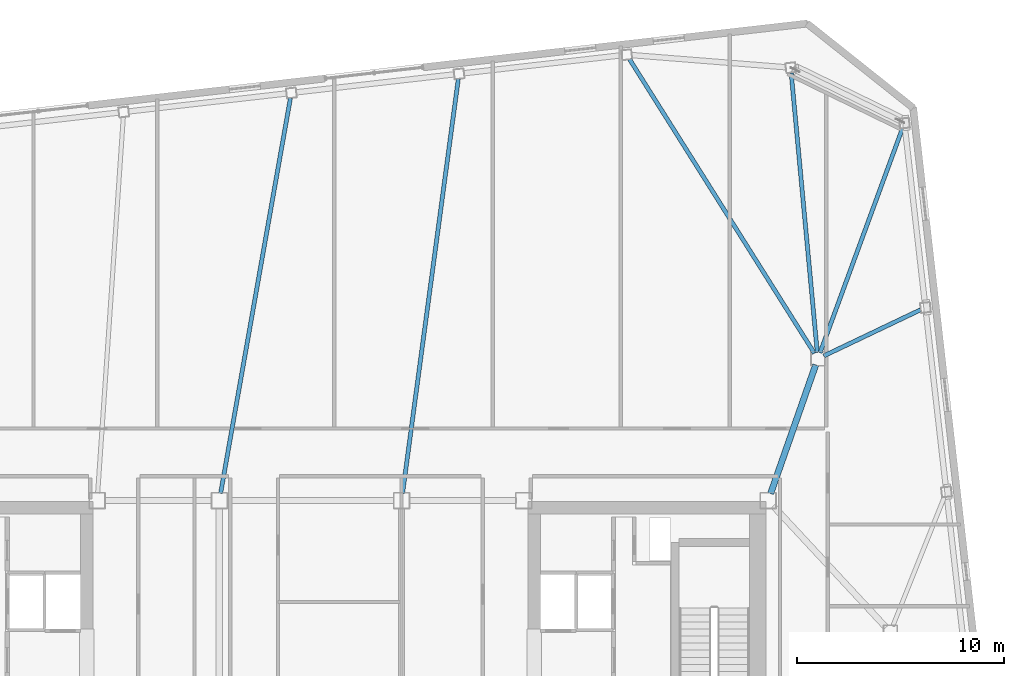
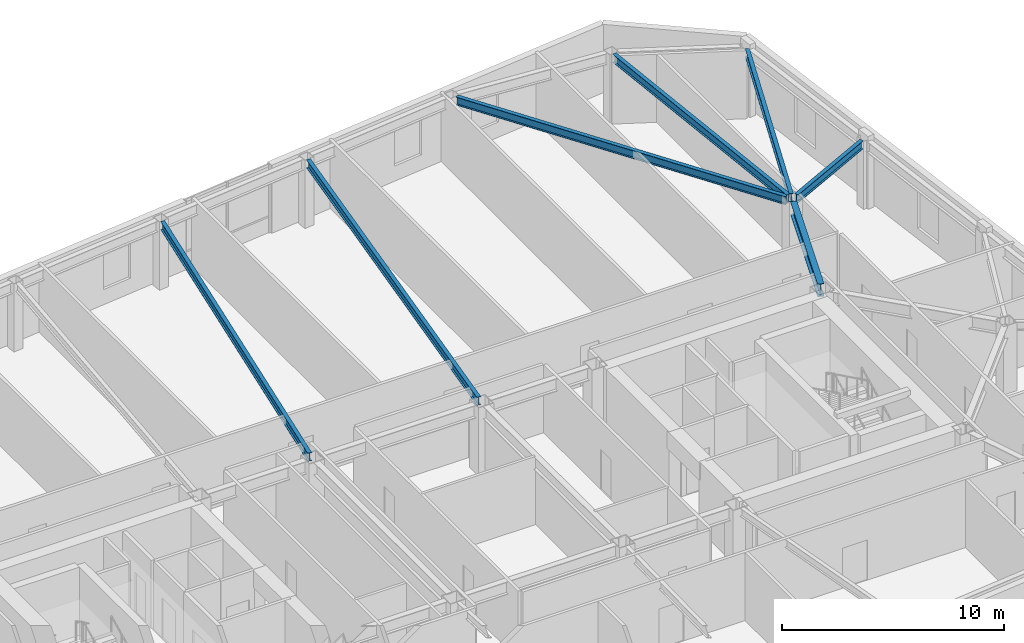
# One storey, part 9 of 19: 7 beams.
"""IFC4 building model written with IfcOpenShell, lengths in metres."""

from ifc_helpers import new_model, si_unit, direction, frame, origin, origin_2d, place, context, subcontext, project, spatial, i_section, extrude, material, material_profile, profile_set, type_object, element, save


model = new_model("IFC4")

# Units and contexts
model_context = context("Model", 3, precision=1e-05, world=origin(), true_north=direction((0.0, 1.0)))
body_context = subcontext(model_context, "Body", "Model", "MODEL_VIEW")
ifc_project = project(units=[si_unit("LENGTHUNIT", "METRE"), si_unit("AREAUNIT", "SQUARE_METRE"), si_unit("VOLUMEUNIT", "CUBIC_METRE"), si_unit("PLANEANGLEUNIT", "RADIAN"), si_unit("MASSUNIT", "GRAM", prefix="KILO")], contexts=[model_context])

# Site, building, storey
site_placement = place(None, origin())
site = spatial("IfcSite", under=ifc_project, at=site_placement, CompositionType="ELEMENT")
building_placement = place(site_placement, origin())
building = spatial("IfcBuilding", under=site, at=building_placement, Name="Tavrogorsk Clinical Tower", CompositionType="ELEMENT")
storey_placement = place(building_placement, frame((0.0, 0.0, 259.0)))
storey = spatial("IfcBuildingStorey", under=building, at=storey_placement, Name="L60", CompositionType="ELEMENT", Elevation=259.0)

# Beams
ifc_material_1 = material(Name="Structural steel S355", Category="steel")
ifc_material_profile_1 = material_profile(ifc_material_1, i_section(OverallWidth=0.199951171875, OverallDepth=0.449951171875, WebThickness=0.011474609375, FlangeThickness=0.01806640625, at=origin_2d()), Name="B-450x200x11.5x18")
ifc_profile_set_1 = profile_set([ifc_material_profile_1], Name="Structural steel S355")
beam_type_1 = type_object("IfcBeamType", Name="FloorBeam_B450", PredefinedType="BEAM", material=ifc_profile_set_1)
beam_1_placement = place(storey_placement, frame((24.47119140625, 13.508544921875, 3.514892578125), z_axis=(-0.092940409745, 0.99567167291, 0.0), x_axis=(-0.99567167291, -0.092940409745, 0.0)))
element("IfcBeam", 1, at=beam_1_placement, inside=storey, type_object=beam_type_1, Name="L60 Radial Floor Beam N1", PredefinedType="BEAM", context=body_context, shape_type="SweptSolid", body=[
    extrude(i_section(OverallWidth=0.199951171875, OverallDepth=0.449951171875, WebThickness=0.011474609375, FlangeThickness=0.01806640625, at=origin_2d()), origin(), (0.0, 0.0, 1.0), 13.546630859375),
])
beam_2_placement = place(storey_placement, frame((24.3349609375, 13.46240234375, 3.514892578125), z_axis=(-0.53234144439, 0.84652973166, 0.0), x_axis=(-0.84652973166, -0.53234144439, 0.0)))
element("IfcBeam", 2, at=beam_2_placement, inside=storey, type_object=beam_type_1, Name="L60 Radial Floor Beam N2", PredefinedType="BEAM", context=body_context, shape_type="SweptSolid", body=[
    extrude(i_section(OverallWidth=0.199951171875, OverallDepth=0.449951171875, WebThickness=0.011474609375, FlangeThickness=0.01806640625, at=origin_2d()), origin(), (0.0, 0.0, 1.0), 16.7734375),
])
beam_3_placement = place(storey_placement, frame((4.447998046875, 6.706787109375, 3.514892578125), z_axis=(0.133328812355, 0.991071858039, 0.0), x_axis=(-0.991071858039, 0.133328812355, 0.0)))
element("IfcBeam", 3, at=beam_3_placement, inside=storey, type_object=beam_type_1, Name="L60 Radial Floor Beam N3", PredefinedType="BEAM", context=body_context, shape_type="SweptSolid", body=[
    extrude(i_section(OverallWidth=0.199951171875, OverallDepth=0.449951171875, WebThickness=0.011474609375, FlangeThickness=0.01806640625, at=origin_2d()), origin(), (0.0, 0.0, 1.0), 20.17529296875),
])
beam_4_placement = place(storey_placement, frame((-4.33740234375, 6.70458984375, 3.514892578125), z_axis=(0.173894614236, 0.984764267802, 0.0), x_axis=(-0.984764267802, 0.173894614236, 0.0)))
element("IfcBeam", 4, at=beam_4_placement, inside=storey, type_object=beam_type_1, Name="L60 Radial Floor Beam N4", PredefinedType="BEAM", context=body_context, shape_type="SweptSolid", body=[
    extrude(i_section(OverallWidth=0.199951171875, OverallDepth=0.449951171875, WebThickness=0.011474609375, FlangeThickness=0.01806640625, at=origin_2d()), origin(), (0.0, 0.0, 1.0), 19.371826171875),
])
beam_5_placement = place(storey_placement, frame((24.77978515625, 13.333251953125, 3.514892578125), z_axis=(0.90270896244, 0.43025170439, 0.0), x_axis=(-0.43025170439, 0.90270896244, 0.0)))
element("IfcBeam", 5, at=beam_5_placement, inside=storey, type_object=beam_type_1, Name="L60 Radial Floor Beam E4", PredefinedType="BEAM", context=body_context, shape_type="SweptSolid", body=[
    extrude(i_section(OverallWidth=0.199951171875, OverallDepth=0.449951171875, WebThickness=0.011474609375, FlangeThickness=0.01806640625, at=origin_2d()), origin(), (0.0, 0.0, 1.0), 5.182861328125),
])
beam_6_placement = place(storey_placement, frame((24.60693359375, 13.490966796875, 3.514892578125), z_axis=(0.34467380093, 0.938722520744, 0.0), x_axis=(-0.938722520744, 0.34467380093, 0.0)))
element("IfcBeam", 6, at=beam_6_placement, inside=storey, type_object=beam_type_1, Name="L60 Radial Floor Beam E5", PredefinedType="BEAM", context=body_context, shape_type="SweptSolid", body=[
    extrude(i_section(OverallWidth=0.199951171875, OverallDepth=0.449951171875, WebThickness=0.011474609375, FlangeThickness=0.01806640625, at=origin_2d()), origin(), (0.0, 0.0, 1.0), 11.55126953125),
])
ifc_material_2 = material(Name="Structural steel S390", Category="steel")
ifc_material_profile_2 = material_profile(ifc_material_2, i_section(OverallWidth=0.300048828125, OverallDepth=0.699951171875, WebThickness=0.01708984375, FlangeThickness=0.028076171875, at=origin_2d()), Name="B-700x300x17x28")
ifc_profile_set_2 = profile_set([ifc_material_profile_2], Name="Structural steel S390")
beam_type_2 = type_object("IfcBeamType", Name="PrimaryGirder_B700", PredefinedType="USERDEFINED", material=ifc_profile_set_2)
beam_7_placement = place(storey_placement, frame((24.3974609375, 12.907470703125, 3.389892578125), z_axis=(-0.330654121425, -0.943752007672, 0.0), x_axis=(0.943752007672, -0.330654121425, 0.0)))
element("IfcBeam", 7, at=beam_7_placement, inside=storey, type_object=beam_type_2, Name="L60 Spine Link Girder OPG-4", ObjectType="GIRDER", PredefinedType="USERDEFINED", context=body_context, shape_type="SweptSolid", body=[
    extrude(i_section(OverallWidth=0.300048828125, OverallDepth=0.699951171875, WebThickness=0.01708984375, FlangeThickness=0.028076171875, at=origin_2d()), origin(), (0.0, 0.0, 1.0), 6.58837890625),
])

save(model, "model.ifc")
